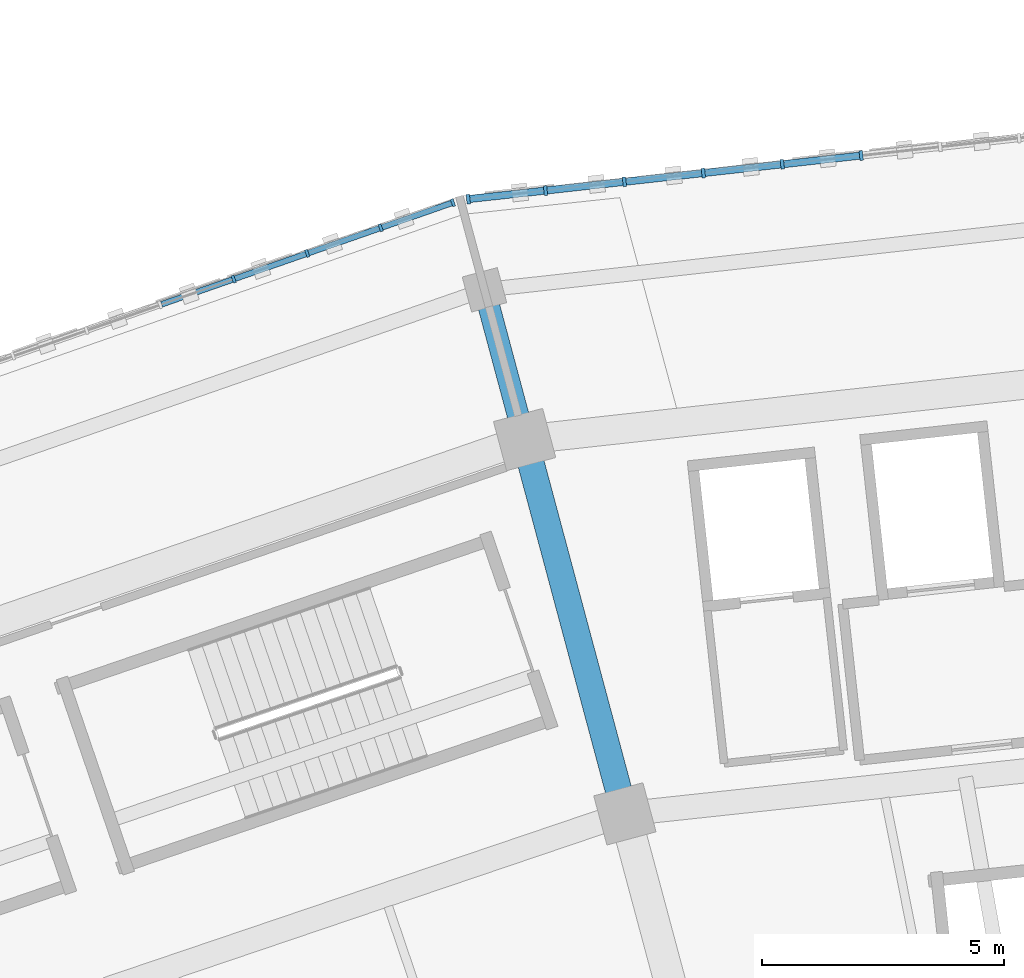
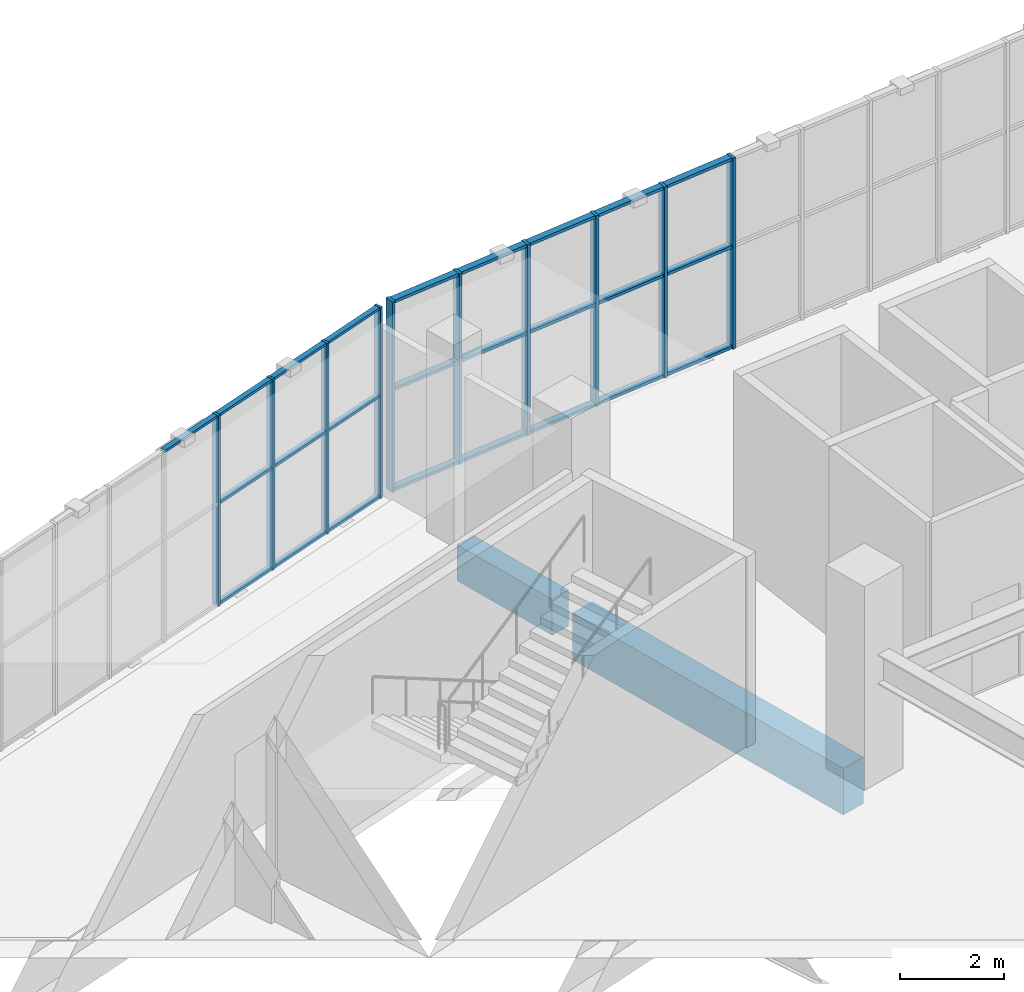
# One storey, part 59 of 179: 35 members, 2 beams, 2 elements without a shape of their own.
"""IFC4 building model written with IfcOpenShell, lengths in metres."""

from ifc_helpers import new_model, si_unit, direction, frame, origin, origin_2d, place, context, subcontext, project, spatial, rectangle, extrude, material, material_profile, profile_set, type_object, element, aggregate, save


model = new_model("IFC4")

# Units and contexts
model_context = context("Model", 3, precision=1e-05, world=origin(), true_north=direction((0.0, 1.0)))
body_context = subcontext(model_context, "Body", "Model", "MODEL_VIEW")
ifc_project = project(units=[si_unit("LENGTHUNIT", "METRE"), si_unit("AREAUNIT", "SQUARE_METRE"), si_unit("VOLUMEUNIT", "CUBIC_METRE"), si_unit("PLANEANGLEUNIT", "RADIAN"), si_unit("MASSUNIT", "GRAM", prefix="KILO")], contexts=[model_context])

# Site, building, storey
site_placement = place(None, origin())
site = spatial("IfcSite", under=ifc_project, at=site_placement, CompositionType="ELEMENT")
building_placement = place(site_placement, origin())
building = spatial("IfcBuilding", under=site, at=building_placement, Name="Zevraka Park Crest Stadium", CompositionType="ELEMENT")
storey_placement = place(building_placement, frame((0.0, 0.0, 10.199951171875)))
storey = spatial("IfcBuildingStorey", under=building, at=storey_placement, Name="L02", CompositionType="ELEMENT", Elevation=10.199951171875)

# Beams
ifc_material_1 = material(Name="Concrete C40/50", Category="concrete")
ifc_material_profile_1 = material_profile(ifc_material_1, rectangle(XDim=0.550048828125, YDim=1.10009765625, at=origin_2d()), Name="RC 1100x550")
ifc_profile_set_1 = profile_set([ifc_material_profile_1], Name="Concrete C40/50")
beam_type_1 = type_object("IfcBeamType", Name="BG02", PredefinedType="BEAM", material=ifc_profile_set_1)
beam_1_placement = place(storey_placement, frame((90.62109375, 157.297119140625, -0.56005859375), z_axis=(-0.258697599806, 0.965958359276, 0.0), x_axis=(-0.965958359276, -0.258697599806, 0.0)))
element("IfcBeam", 1, at=beam_1_placement, inside=storey, type_object=beam_type_1, Name="Radial Girder BG02 L02-CD-07", PredefinedType="BEAM", context=body_context, shape_type="SweptSolid", body=[
    extrude(rectangle(XDim=0.550048828125, YDim=1.10009765625, at=origin_2d()), origin(), (0.0, 0.0, 1.0), 7.39892578125),
])
ifc_material_2 = material(Name="Concrete C40/50", Category="concrete")
ifc_material_profile_2 = material_profile(ifc_material_2, rectangle(XDim=0.449951171875, YDim=0.85009765625, at=origin_2d()), Name="RC 850x450")
ifc_profile_set_2 = profile_set([ifc_material_profile_2], Name="Concrete C40/50")
beam_type_2 = type_object("IfcBeamType", Name="BG03", PredefinedType="BEAM", material=ifc_profile_set_2)
beam_2_placement = place(storey_placement, frame((88.551025390625, 165.02392578125, -0.43505859375), z_axis=(-0.258919157159, 0.965898995784, 0.0), x_axis=(-0.965898995784, -0.258919157159, 0.0)))
element("IfcBeam", 2, at=beam_2_placement, inside=storey, type_object=beam_type_2, Name="Radial Girder BG03 L02-DE-07", PredefinedType="BEAM", context=body_context, shape_type="SweptSolid", body=[
    extrude(rectangle(XDim=0.449951171875, YDim=0.85009765625, at=origin_2d()), origin(), (0.0, 0.0, 1.0), 2.599609375),
])

# Curtain wall, members
ifc_material_3 = material(Name="Anodised architectural aluminium and laminated safety glass", Category="aluminium")
curtain_wall_type_1 = type_object("IfcCurtainWallType", Name="CW07", PredefinedType="NOTDEFINED", material=ifc_material_3)
curtain_wall_1_placement = place(storey_placement, origin())
curtain_wall_1 = element("IfcCurtainWall", 3, at=curtain_wall_1_placement, inside=storey, type_object=curtain_wall_type_1, Name="Unitised Ring Curtain Wall CW07 L02-07", PredefinedType="NOTDEFINED")
ifc_material_4 = material(Name="Anodised architectural aluminium", Category="aluminium")
ifc_material_profile_3 = material_profile(ifc_material_4, rectangle(XDim=0.159912109375, YDim=0.06005859375, at=origin_2d()), Name="ALU MULLION 160x60")
ifc_profile_set_3 = profile_set([ifc_material_profile_3], Name="Anodised architectural aluminium")
member_type_1 = type_object("IfcMemberType", Name="CM01", PredefinedType="MULLION", material=ifc_profile_set_3)
member_1_placement = place(storey_placement, frame((87.148681640625, 169.625, 0.0), z_axis=(0.0, 0.0, 1.0), x_axis=(0.329618886002, -0.944114076789, 0.0)))
member_1 = element("IfcMember", 4, at=member_1_placement, type_object=member_type_1, Name="CW07 mullion 1", PredefinedType="MULLION", context=body_context, shape_type="SweptSolid", body=[
    extrude(rectangle(XDim=0.159912109375, YDim=0.06005859375, at=origin_2d()), origin(), (0.0, 0.0, 1.0), 4.5),
])
member_2_placement = place(storey_placement, frame((85.6591796875, 169.10498046875, 0.0), z_axis=(0.0, 0.0, 1.0), x_axis=(0.329618886002, -0.944114076789, 0.0)))
member_2 = element("IfcMember", 5, at=member_2_placement, type_object=member_type_1, Name="CW07 mullion 2", PredefinedType="MULLION", context=body_context, shape_type="SweptSolid", body=[
    extrude(rectangle(XDim=0.159912109375, YDim=0.06005859375, at=origin_2d()), origin(), (0.0, 0.0, 1.0), 4.5),
])
member_3_placement = place(storey_placement, frame((84.141357421875, 168.5751953125, 0.0), z_axis=(0.0, 0.0, 1.0), x_axis=(0.329618886002, -0.944114076789, 0.0)))
member_3 = element("IfcMember", 6, at=member_3_placement, type_object=member_type_1, Name="CW07 mullion 3", PredefinedType="MULLION", context=body_context, shape_type="SweptSolid", body=[
    extrude(rectangle(XDim=0.159912109375, YDim=0.06005859375, at=origin_2d()), origin(), (0.0, 0.0, 1.0), 4.5),
])
member_4_placement = place(storey_placement, frame((82.623291015625, 168.045166015625, 0.0), z_axis=(0.0, 0.0, 1.0), x_axis=(0.329618886002, -0.944114076789, 0.0)))
member_4 = element("IfcMember", 7, at=member_4_placement, type_object=member_type_1, Name="CW07 mullion 4", PredefinedType="MULLION", context=body_context, shape_type="SweptSolid", body=[
    extrude(rectangle(XDim=0.159912109375, YDim=0.06005859375, at=origin_2d()), origin(), (0.0, 0.0, 1.0), 4.5),
])

ifc_material_5 = material(Name="Anodised architectural aluminium and laminated safety glass", Category="aluminium")
curtain_wall_type_2 = type_object("IfcCurtainWallType", Name="CW06", PredefinedType="NOTDEFINED", material=ifc_material_5)
curtain_wall_2_placement = place(storey_placement, origin())
curtain_wall_2 = element("IfcCurtainWall", 8, at=curtain_wall_2_placement, inside=storey, type_object=curtain_wall_type_2, Name="Unitised Ring Curtain Wall CW06 L02-06", PredefinedType="NOTDEFINED")
ifc_material_6 = material(Name="Anodised architectural aluminium", Category="aluminium")
ifc_material_profile_4 = material_profile(ifc_material_6, rectangle(XDim=0.199951171875, YDim=0.070068359375, at=origin_2d()), Name="ALU MULLION 200x70")
ifc_profile_set_4 = profile_set([ifc_material_profile_4], Name="Anodised architectural aluminium")
member_type_2 = type_object("IfcMemberType", Name="CM03", PredefinedType="MULLION", material=ifc_profile_set_4)
member_5_placement = place(storey_placement, frame((95.577392578125, 170.596923828125, 0.0), z_axis=(0.0, 0.0, 1.0), x_axis=(0.110293152687, -0.993899099743, 0.0)))
member_5 = element("IfcMember", 9, at=member_5_placement, type_object=member_type_2, Name="CW06 mullion 11", PredefinedType="MULLION", context=body_context, shape_type="SweptSolid", body=[
    extrude(rectangle(XDim=0.199951171875, YDim=0.070068359375, at=origin_2d()), origin(), (0.0, 0.0, 1.0), 4.5),
])
member_6_placement = place(storey_placement, frame((93.947998046875, 170.416259765625, 0.0), z_axis=(0.0, 0.0, 1.0), x_axis=(0.110293152687, -0.993899099743, 0.0)))
member_6 = element("IfcMember", 10, at=member_6_placement, type_object=member_type_2, Name="CW06 mullion 12", PredefinedType="MULLION", context=body_context, shape_type="SweptSolid", body=[
    extrude(rectangle(XDim=0.199951171875, YDim=0.070068359375, at=origin_2d()), origin(), (0.0, 0.0, 1.0), 4.5),
])
member_7_placement = place(storey_placement, frame((92.31884765625, 170.2353515625, 0.0), z_axis=(0.0, 0.0, 1.0), x_axis=(0.110293152687, -0.993899099743, 0.0)))
member_7 = element("IfcMember", 11, at=member_7_placement, type_object=member_type_2, Name="CW06 mullion 13", PredefinedType="MULLION", context=body_context, shape_type="SweptSolid", body=[
    extrude(rectangle(XDim=0.199951171875, YDim=0.070068359375, at=origin_2d()), origin(), (0.0, 0.0, 1.0), 4.5),
])
member_8_placement = place(storey_placement, frame((90.689453125, 170.0546875, 0.0), z_axis=(0.0, 0.0, 1.0), x_axis=(0.110293152687, -0.993899099743, 0.0)))
member_8 = element("IfcMember", 12, at=member_8_placement, type_object=member_type_2, Name="CW06 mullion 14", PredefinedType="MULLION", context=body_context, shape_type="SweptSolid", body=[
    extrude(rectangle(XDim=0.199951171875, YDim=0.070068359375, at=origin_2d()), origin(), (0.0, 0.0, 1.0), 4.5),
])
member_9_placement = place(storey_placement, frame((89.060302734375, 169.873779296875, 0.0), z_axis=(0.0, 0.0, 1.0), x_axis=(0.110293152687, -0.993899099743, 0.0)))
member_9 = element("IfcMember", 13, at=member_9_placement, type_object=member_type_2, Name="CW06 mullion 15", PredefinedType="MULLION", context=body_context, shape_type="SweptSolid", body=[
    extrude(rectangle(XDim=0.199951171875, YDim=0.070068359375, at=origin_2d()), origin(), (0.0, 0.0, 1.0), 4.5),
])
member_10_placement = place(storey_placement, frame((87.4658203125, 169.69677734375, 0.0), z_axis=(0.0, 0.0, 1.0), x_axis=(0.110293152687, -0.993899099743, 0.0)))
member_10 = element("IfcMember", 14, at=member_10_placement, type_object=member_type_2, Name="CW06 mullion 16", PredefinedType="MULLION", context=body_context, shape_type="SweptSolid", body=[
    extrude(rectangle(XDim=0.199951171875, YDim=0.070068359375, at=origin_2d()), origin(), (0.0, 0.0, 1.0), 4.5),
])

# Member
ifc_material_7 = material(Name="Anodised architectural aluminium", Category="aluminium")
ifc_material_profile_5 = material_profile(ifc_material_7, rectangle(XDim=0.1201171875, YDim=0.06005859375, at=origin_2d()), Name="ALU TRANSOM 120x60")
ifc_profile_set_5 = profile_set([ifc_material_profile_5], Name="Anodised architectural aluminium")
member_type_3 = type_object("IfcMemberType", Name="CT01", PredefinedType="USERDEFINED", material=ifc_profile_set_5)
member_11_placement = place(storey_placement, frame((87.120361328125, 169.615234375, 0.030029296875), z_axis=(-0.944116383241, -0.329612279649, 0.0), x_axis=(0.329612279649, -0.944116383241, 0.0)))
member_11 = element("IfcMember", 15, at=member_11_placement, type_object=member_type_3, Name="CW07 transom 1.1", ObjectType="TRANSOM", PredefinedType="USERDEFINED", context=body_context, shape_type="SweptSolid", body=[
    extrude(rectangle(XDim=0.1201171875, YDim=0.06005859375, at=origin_2d()), origin(), (0.0, 0.0, 1.0), 1.517578125),
])

member_12_placement = place(storey_placement, frame((87.120361328125, 169.615234375, 2.400146484375), z_axis=(-0.944116383241, -0.329612279649, 0.0), x_axis=(0.329612279649, -0.944116383241, 0.0)))
member_12 = element("IfcMember", 16, at=member_12_placement, type_object=member_type_3, Name="CW07 transom 1.2", ObjectType="TRANSOM", PredefinedType="USERDEFINED", context=body_context, shape_type="SweptSolid", body=[
    extrude(rectangle(XDim=0.1201171875, YDim=0.06005859375, at=origin_2d()), origin(), (0.0, 0.0, 1.0), 1.517578125),
])

member_13_placement = place(storey_placement, frame((87.120361328125, 169.615234375, 4.469970703125), z_axis=(-0.944116383241, -0.329612279649, 0.0), x_axis=(0.329612279649, -0.944116383241, 0.0)))
member_13 = element("IfcMember", 17, at=member_13_placement, type_object=member_type_3, Name="CW07 transom 1.3", ObjectType="TRANSOM", PredefinedType="USERDEFINED", context=body_context, shape_type="SweptSolid", body=[
    extrude(rectangle(XDim=0.1201171875, YDim=0.06005859375, at=origin_2d()), origin(), (0.0, 0.0, 1.0), 1.517578125),
])

member_14_placement = place(storey_placement, frame((85.630859375, 169.09521484375, 0.030029296875), z_axis=(-0.944091748578, -0.329682832837, 0.0), x_axis=(0.329682832837, -0.944091748578, 0.0)))
member_14 = element("IfcMember", 18, at=member_14_placement, type_object=member_type_3, Name="CW07 transom 2.1", ObjectType="TRANSOM", PredefinedType="USERDEFINED", context=body_context, shape_type="SweptSolid", body=[
    extrude(rectangle(XDim=0.1201171875, YDim=0.06005859375, at=origin_2d()), origin(), (0.0, 0.0, 1.0), 1.547607421875),
])

member_15_placement = place(storey_placement, frame((85.630859375, 169.09521484375, 2.400146484375), z_axis=(-0.944091748578, -0.329682832837, 0.0), x_axis=(0.329682832837, -0.944091748578, 0.0)))
member_15 = element("IfcMember", 19, at=member_15_placement, type_object=member_type_3, Name="CW07 transom 2.2", ObjectType="TRANSOM", PredefinedType="USERDEFINED", context=body_context, shape_type="SweptSolid", body=[
    extrude(rectangle(XDim=0.1201171875, YDim=0.06005859375, at=origin_2d()), origin(), (0.0, 0.0, 1.0), 1.547607421875),
])

member_16_placement = place(storey_placement, frame((85.630859375, 169.09521484375, 4.469970703125), z_axis=(-0.944091748578, -0.329682832837, 0.0), x_axis=(0.329682832837, -0.944091748578, 0.0)))
member_16 = element("IfcMember", 20, at=member_16_placement, type_object=member_type_3, Name="CW07 transom 2.3", ObjectType="TRANSOM", PredefinedType="USERDEFINED", context=body_context, shape_type="SweptSolid", body=[
    extrude(rectangle(XDim=0.1201171875, YDim=0.06005859375, at=origin_2d()), origin(), (0.0, 0.0, 1.0), 1.547607421875),
])

member_17_placement = place(storey_placement, frame((84.113037109375, 168.565185546875, 0.030029296875), z_axis=(-0.944157965945, -0.329493149158, 0.0), x_axis=(0.329493149158, -0.944157965945, 0.0)))
member_17 = element("IfcMember", 21, at=member_17_placement, type_object=member_type_3, Name="CW07 transom 3.1", ObjectType="TRANSOM", PredefinedType="USERDEFINED", context=body_context, shape_type="SweptSolid", body=[
    extrude(rectangle(XDim=0.1201171875, YDim=0.06005859375, at=origin_2d()), origin(), (0.0, 0.0, 1.0), 1.5478515625),
])

member_18_placement = place(storey_placement, frame((84.113037109375, 168.565185546875, 2.400146484375), z_axis=(-0.944157965945, -0.329493149158, 0.0), x_axis=(0.329493149158, -0.944157965945, 0.0)))
member_18 = element("IfcMember", 22, at=member_18_placement, type_object=member_type_3, Name="CW07 transom 3.2", ObjectType="TRANSOM", PredefinedType="USERDEFINED", context=body_context, shape_type="SweptSolid", body=[
    extrude(rectangle(XDim=0.1201171875, YDim=0.06005859375, at=origin_2d()), origin(), (0.0, 0.0, 1.0), 1.5478515625),
])

member_19_placement = place(storey_placement, frame((84.113037109375, 168.565185546875, 4.469970703125), z_axis=(-0.944157965945, -0.329493149158, 0.0), x_axis=(0.329493149158, -0.944157965945, 0.0)))
member_19 = element("IfcMember", 23, at=member_19_placement, type_object=member_type_3, Name="CW07 transom 3.3", ObjectType="TRANSOM", PredefinedType="USERDEFINED", context=body_context, shape_type="SweptSolid", body=[
    extrude(rectangle(XDim=0.1201171875, YDim=0.06005859375, at=origin_2d()), origin(), (0.0, 0.0, 1.0), 1.5478515625),
])

member_20_placement = place(storey_placement, frame((82.594970703125, 168.035400390625, 4.469970703125), z_axis=(-0.944091748578, -0.329682832837, 0.0), x_axis=(0.329682832837, -0.944091748578, 0.0)))
member_20 = element("IfcMember", 24, at=member_20_placement, type_object=member_type_3, Name="CW07 transom 4.3", ObjectType="TRANSOM", PredefinedType="USERDEFINED", context=body_context, shape_type="SweptSolid", body=[
    extrude(rectangle(XDim=0.1201171875, YDim=0.06005859375, at=origin_2d()), origin(), (0.0, 0.0, 1.0), 1.547607421875),
])

aggregate(curtain_wall_1, [member_1, member_2, member_3, member_4, member_11, member_12, member_13, member_14, member_15, member_16, member_17, member_18, member_19, member_20])

ifc_material_8 = material(Name="Anodised architectural aluminium", Category="aluminium")
ifc_material_profile_6 = material_profile(ifc_material_8, rectangle(XDim=0.14990234375, YDim=0.070068359375, at=origin_2d()), Name="ALU TRANSOM 150x70")
ifc_profile_set_6 = profile_set([ifc_material_profile_6], Name="Anodised architectural aluminium")
member_type_4 = type_object("IfcMemberType", Name="CT03", PredefinedType="USERDEFINED", material=ifc_profile_set_6)
member_21_placement = place(storey_placement, frame((95.54248046875, 170.59326171875, 0.03515625), z_axis=(-0.993897009399, -0.11031198805, 0.0), x_axis=(0.11031198805, -0.993897009399, 0.0)))
member_21 = element("IfcMember", 25, at=member_21_placement, type_object=member_type_4, Name="CW06 transom 11.1", ObjectType="TRANSOM", PredefinedType="USERDEFINED", context=body_context, shape_type="SweptSolid", body=[
    extrude(rectangle(XDim=0.14990234375, YDim=0.070068359375, at=origin_2d()), origin(), (0.0, 0.0, 1.0), 1.569091796875),
])

member_22_placement = place(storey_placement, frame((95.54248046875, 170.59326171875, 2.400146484375), z_axis=(-0.993897009399, -0.11031198805, 0.0), x_axis=(0.11031198805, -0.993897009399, 0.0)))
member_22 = element("IfcMember", 26, at=member_22_placement, type_object=member_type_4, Name="CW06 transom 11.2", ObjectType="TRANSOM", PredefinedType="USERDEFINED", context=body_context, shape_type="SweptSolid", body=[
    extrude(rectangle(XDim=0.14990234375, YDim=0.070068359375, at=origin_2d()), origin(), (0.0, 0.0, 1.0), 1.569091796875),
])

member_23_placement = place(storey_placement, frame((95.54248046875, 170.59326171875, 4.465087890625), z_axis=(-0.993897009399, -0.11031198805, 0.0), x_axis=(0.11031198805, -0.993897009399, 0.0)))
member_23 = element("IfcMember", 27, at=member_23_placement, type_object=member_type_4, Name="CW06 transom 11.3", ObjectType="TRANSOM", PredefinedType="USERDEFINED", context=body_context, shape_type="SweptSolid", body=[
    extrude(rectangle(XDim=0.14990234375, YDim=0.070068359375, at=origin_2d()), origin(), (0.0, 0.0, 1.0), 1.569091796875),
])

member_24_placement = place(storey_placement, frame((93.913330078125, 170.412353515625, 0.03515625), z_axis=(-0.993898902271, -0.110294932182, 0.0), x_axis=(0.110294932182, -0.993898902271, 0.0)))
member_24 = element("IfcMember", 28, at=member_24_placement, type_object=member_type_4, Name="CW06 transom 12.1", ObjectType="TRANSOM", PredefinedType="USERDEFINED", context=body_context, shape_type="SweptSolid", body=[
    extrude(rectangle(XDim=0.14990234375, YDim=0.070068359375, at=origin_2d()), origin(), (0.0, 0.0, 1.0), 1.5693359375),
])

member_25_placement = place(storey_placement, frame((93.913330078125, 170.412353515625, 2.400146484375), z_axis=(-0.993898902271, -0.110294932182, 0.0), x_axis=(0.110294932182, -0.993898902271, 0.0)))
member_25 = element("IfcMember", 29, at=member_25_placement, type_object=member_type_4, Name="CW06 transom 12.2", ObjectType="TRANSOM", PredefinedType="USERDEFINED", context=body_context, shape_type="SweptSolid", body=[
    extrude(rectangle(XDim=0.14990234375, YDim=0.070068359375, at=origin_2d()), origin(), (0.0, 0.0, 1.0), 1.5693359375),
])

member_26_placement = place(storey_placement, frame((93.913330078125, 170.412353515625, 4.465087890625), z_axis=(-0.993898902271, -0.110294932182, 0.0), x_axis=(0.110294932182, -0.993898902271, 0.0)))
member_26 = element("IfcMember", 30, at=member_26_placement, type_object=member_type_4, Name="CW06 transom 12.3", ObjectType="TRANSOM", PredefinedType="USERDEFINED", context=body_context, shape_type="SweptSolid", body=[
    extrude(rectangle(XDim=0.14990234375, YDim=0.070068359375, at=origin_2d()), origin(), (0.0, 0.0, 1.0), 1.5693359375),
])

member_27_placement = place(storey_placement, frame((92.283935546875, 170.2314453125, 0.03515625), z_axis=(-0.993897009399, -0.11031198805, 0.0), x_axis=(0.11031198805, -0.993897009399, 0.0)))
member_27 = element("IfcMember", 31, at=member_27_placement, type_object=member_type_4, Name="CW06 transom 13.1", ObjectType="TRANSOM", PredefinedType="USERDEFINED", context=body_context, shape_type="SweptSolid", body=[
    extrude(rectangle(XDim=0.14990234375, YDim=0.070068359375, at=origin_2d()), origin(), (0.0, 0.0, 1.0), 1.569091796875),
])

member_28_placement = place(storey_placement, frame((92.283935546875, 170.2314453125, 2.400146484375), z_axis=(-0.993897009399, -0.11031198805, 0.0), x_axis=(0.11031198805, -0.993897009399, 0.0)))
member_28 = element("IfcMember", 32, at=member_28_placement, type_object=member_type_4, Name="CW06 transom 13.2", ObjectType="TRANSOM", PredefinedType="USERDEFINED", context=body_context, shape_type="SweptSolid", body=[
    extrude(rectangle(XDim=0.14990234375, YDim=0.070068359375, at=origin_2d()), origin(), (0.0, 0.0, 1.0), 1.569091796875),
])

member_29_placement = place(storey_placement, frame((92.283935546875, 170.2314453125, 4.465087890625), z_axis=(-0.993897009399, -0.11031198805, 0.0), x_axis=(0.11031198805, -0.993897009399, 0.0)))
member_29 = element("IfcMember", 33, at=member_29_placement, type_object=member_type_4, Name="CW06 transom 13.3", ObjectType="TRANSOM", PredefinedType="USERDEFINED", context=body_context, shape_type="SweptSolid", body=[
    extrude(rectangle(XDim=0.14990234375, YDim=0.070068359375, at=origin_2d()), origin(), (0.0, 0.0, 1.0), 1.569091796875),
])

member_30_placement = place(storey_placement, frame((90.65478515625, 170.05078125, 0.03515625), z_axis=(-0.993898902271, -0.110294932182, 0.0), x_axis=(0.110294932182, -0.993898902271, 0.0)))
member_30 = element("IfcMember", 34, at=member_30_placement, type_object=member_type_4, Name="CW06 transom 14.1", ObjectType="TRANSOM", PredefinedType="USERDEFINED", context=body_context, shape_type="SweptSolid", body=[
    extrude(rectangle(XDim=0.14990234375, YDim=0.070068359375, at=origin_2d()), origin(), (0.0, 0.0, 1.0), 1.5693359375),
])

member_31_placement = place(storey_placement, frame((90.65478515625, 170.05078125, 2.400146484375), z_axis=(-0.993898902271, -0.110294932182, 0.0), x_axis=(0.110294932182, -0.993898902271, 0.0)))
member_31 = element("IfcMember", 35, at=member_31_placement, type_object=member_type_4, Name="CW06 transom 14.2", ObjectType="TRANSOM", PredefinedType="USERDEFINED", context=body_context, shape_type="SweptSolid", body=[
    extrude(rectangle(XDim=0.14990234375, YDim=0.070068359375, at=origin_2d()), origin(), (0.0, 0.0, 1.0), 1.5693359375),
])

member_32_placement = place(storey_placement, frame((90.65478515625, 170.05078125, 4.465087890625), z_axis=(-0.993898902271, -0.110294932182, 0.0), x_axis=(0.110294932182, -0.993898902271, 0.0)))
member_32 = element("IfcMember", 36, at=member_32_placement, type_object=member_type_4, Name="CW06 transom 14.3", ObjectType="TRANSOM", PredefinedType="USERDEFINED", context=body_context, shape_type="SweptSolid", body=[
    extrude(rectangle(XDim=0.14990234375, YDim=0.070068359375, at=origin_2d()), origin(), (0.0, 0.0, 1.0), 1.5693359375),
])

member_33_placement = place(storey_placement, frame((89.025390625, 169.869873046875, 0.03515625), z_axis=(-0.993901187296, -0.110274339224, 0.0), x_axis=(0.110274339224, -0.993901187296, 0.0)))
member_33 = element("IfcMember", 37, at=member_33_placement, type_object=member_type_4, Name="CW06 transom 15.1", ObjectType="TRANSOM", PredefinedType="USERDEFINED", context=body_context, shape_type="SweptSolid", body=[
    extrude(rectangle(XDim=0.14990234375, YDim=0.070068359375, at=origin_2d()), origin(), (0.0, 0.0, 1.0), 1.5341796875),
])

member_34_placement = place(storey_placement, frame((89.025390625, 169.869873046875, 2.400146484375), z_axis=(-0.993901187296, -0.110274339224, 0.0), x_axis=(0.110274339224, -0.993901187296, 0.0)))
member_34 = element("IfcMember", 38, at=member_34_placement, type_object=member_type_4, Name="CW06 transom 15.2", ObjectType="TRANSOM", PredefinedType="USERDEFINED", context=body_context, shape_type="SweptSolid", body=[
    extrude(rectangle(XDim=0.14990234375, YDim=0.070068359375, at=origin_2d()), origin(), (0.0, 0.0, 1.0), 1.5341796875),
])

member_35_placement = place(storey_placement, frame((89.025390625, 169.869873046875, 4.465087890625), z_axis=(-0.993901187296, -0.110274339224, 0.0), x_axis=(0.110274339224, -0.993901187296, 0.0)))
member_35 = element("IfcMember", 39, at=member_35_placement, type_object=member_type_4, Name="CW06 transom 15.3", ObjectType="TRANSOM", PredefinedType="USERDEFINED", context=body_context, shape_type="SweptSolid", body=[
    extrude(rectangle(XDim=0.14990234375, YDim=0.070068359375, at=origin_2d()), origin(), (0.0, 0.0, 1.0), 1.5341796875),
])

aggregate(curtain_wall_2, [member_5, member_6, member_7, member_8, member_9, member_10, member_21, member_22, member_23, member_24, member_25, member_26, member_27, member_28, member_29, member_30, member_31, member_32, member_33, member_34, member_35])

save(model, "model.ifc")
